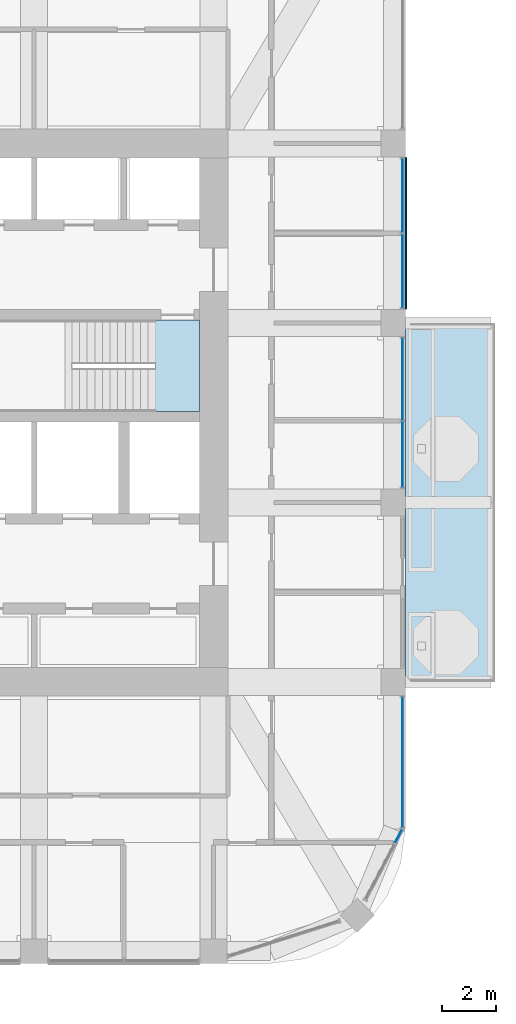
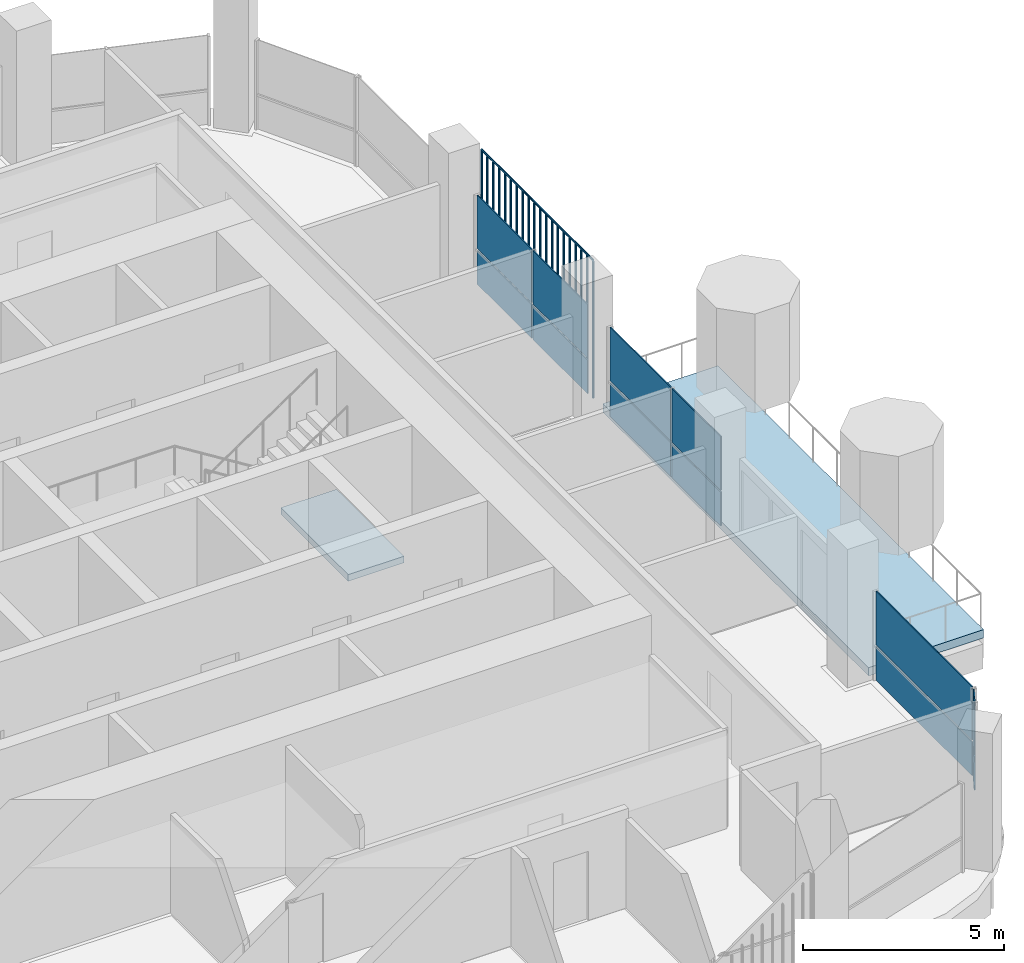
# One storey, part 10 of 20: 13 plates, 2 slabs, 5 elements without a shape of their own.
"""IFC4 building model written with IfcOpenShell, lengths in metres."""

from ifc_helpers import new_model, si_unit, direction, frame, origin, origin_2d, place, context, subcontext, project, spatial, polyline, rectangle, outline, extrude, material, layer, layer_set, type_object, element, aggregate, save


model = new_model("IFC4")

# Units and contexts
model_context = context("Model", 3, precision=1e-05, world=origin(), true_north=direction((0.0, 1.0)))
body_context = subcontext(model_context, "Body", "Model", "MODEL_VIEW")
ifc_project = project(units=[si_unit("LENGTHUNIT", "METRE"), si_unit("AREAUNIT", "SQUARE_METRE"), si_unit("VOLUMEUNIT", "CUBIC_METRE"), si_unit("PLANEANGLEUNIT", "RADIAN"), si_unit("MASSUNIT", "GRAM", prefix="KILO")], contexts=[model_context])

# Site, building, storey
site_placement = place(None, origin())
site = spatial("IfcSite", under=ifc_project, at=site_placement, CompositionType="ELEMENT")
building_placement = place(site_placement, origin())
building = spatial("IfcBuilding", under=site, at=building_placement, Name="Cobogo Forest Laboratory Tower", CompositionType="ELEMENT")
storey_placement = place(building_placement, frame((0.0, 0.0, 279.60009765625)))
storey = spatial("IfcBuildingStorey", under=building, at=storey_placement, Name="L64", CompositionType="ELEMENT", Elevation=279.60009765625)

# Slab
ifc_material_1 = material(Name="Concrete HA-40 (C40/50)", Category="concrete")
ifc_layer_1 = layer(ifc_material_1, 0.25)
ifc_layer_set_1 = layer_set([ifc_layer_1], Name="Balcony slab 250")
slab_type_1 = type_object("IfcSlabType", Name="Balcony slab 250", PredefinedType="FLOOR", material=ifc_layer_set_1)
slab_1_placement = place(storey_placement, frame((0.0, 0.0, -0.25)))
element("IfcSlab", 1, at=slab_1_placement, inside=storey, type_object=slab_type_1, Name="Balcony BAL-E1 L64", PredefinedType="FLOOR", context=body_context, shape_type="SweptSolid", body=[
    extrude(outline(polyline([(46.64990234375, 13.199951171875), (49.949951171875, 13.199951171875), (49.949951171875, 26.39990234375), (46.64990234375, 26.39990234375), (46.64990234375, 13.199951171875)])), origin(), (0.0, 0.0, 1.0), 0.25),
])

# Curtain wall, plates
ifc_material_2 = material(Name="Aluminium curtain wall", Category="aluminium")
curtain_wall_type = type_object("IfcCurtainWallType", Name="CW-2 unitised curtain wall, solar control glazing, laboratory floors zones C and D", PredefinedType="USERDEFINED", material=ifc_material_2)
curtain_wall_1_placement = place(storey_placement, origin())
curtain_wall_1 = element("IfcCurtainWall", 2, at=curtain_wall_1_placement, inside=storey, type_object=curtain_wall_type, Name="Curtain wall 06 L64", ObjectType="UNITISED CURTAIN WALL", PredefinedType="USERDEFINED")
ifc_material_3 = material(Name="Solar control insulated glass", Category="glass")
ifc_layer_2 = layer(ifc_material_3, 0.031982421875)
ifc_layer_set_2 = layer_set([ifc_layer_2], Name="GP-2 solar control glass unit 32")
plate_type_1 = type_object("IfcPlateType", Name="GP-2 solar control glass unit 32", PredefinedType="CURTAIN_PANEL", material=ifc_layer_set_2)
plate_1_placement = place(storey_placement, frame((46.40234375, 7.51806640625, 0.0), z_axis=(0.0, 0.0, 1.0), x_axis=(0.464283778337, 0.885686498245, 0.0)))
plate_1 = element("IfcPlate", 3, at=plate_1_placement, type_object=plate_type_1, Name="CW-2 panel 2.1", PredefinedType="CURTAIN_PANEL", context=body_context, shape_type="SweptSolid", body=[
    extrude(rectangle(XDim=0.516357421875, YDim=0.031982421875, at=origin_2d()), origin(), (0.0, 0.0, 1.0), 1.02001953125),
])
plate_2_placement = place(storey_placement, frame((46.40234375, 7.51806640625, 1.079833984375), z_axis=(0.0, 0.0, 1.0), x_axis=(0.464283778337, 0.885686498245, 0.0)))
plate_2 = element("IfcPlate", 4, at=plate_2_placement, type_object=plate_type_1, Name="CW-2 panel 2.2", PredefinedType="CURTAIN_PANEL", context=body_context, shape_type="SweptSolid", body=[
    extrude(rectangle(XDim=0.516357421875, YDim=0.031982421875, at=origin_2d()), origin(), (0.0, 0.0, 1.0), 1.6201171875),
])
aggregate(curtain_wall_1, [plate_1, plate_2])

curtain_wall_2_placement = place(storey_placement, origin())
curtain_wall_2 = element("IfcCurtainWall", 5, at=curtain_wall_2_placement, inside=storey, type_object=curtain_wall_type, Name="Curtain wall 07 L64", ObjectType="UNITISED CURTAIN WALL", PredefinedType="USERDEFINED")
plate_3_placement = place(storey_placement, frame((46.550048828125, 10.25, 0.0), z_axis=(0.0, 0.0, 1.0), x_axis=(0.0, 1.0, 0.0)))
plate_3 = element("IfcPlate", 6, at=plate_3_placement, type_object=plate_type_1, Name="CW-2 panel 1.1", PredefinedType="CURTAIN_PANEL", context=body_context, shape_type="SweptSolid", body=[
    extrude(rectangle(XDim=4.780029296875, YDim=0.031982421875, at=origin_2d()), origin(), (0.0, 0.0, 1.0), 1.02001953125),
])
plate_4_placement = place(storey_placement, frame((46.550048828125, 10.25, 1.079833984375), z_axis=(0.0, 0.0, 1.0), x_axis=(0.0, 1.0, 0.0)))
plate_4 = element("IfcPlate", 7, at=plate_4_placement, type_object=plate_type_1, Name="CW-2 panel 1.2", PredefinedType="CURTAIN_PANEL", context=body_context, shape_type="SweptSolid", body=[
    extrude(rectangle(XDim=4.780029296875, YDim=0.031982421875, at=origin_2d()), origin(), (0.0, 0.0, 1.0), 1.6201171875),
])
aggregate(curtain_wall_2, [plate_3, plate_4])

curtain_wall_3_placement = place(storey_placement, origin())
curtain_wall_3 = element("IfcCurtainWall", 8, at=curtain_wall_3_placement, inside=storey, type_object=curtain_wall_type, Name="Curtain wall 09 L64", ObjectType="UNITISED CURTAIN WALL", PredefinedType="USERDEFINED")
plate_5_placement = place(storey_placement, frame((46.550048828125, 21.56494140625, 0.0), z_axis=(0.0, 0.0, 1.0), x_axis=(0.0, 1.0, 0.0)))
plate_5 = element("IfcPlate", 9, at=plate_5_placement, type_object=plate_type_1, Name="CW-2 panel 1.1", PredefinedType="CURTAIN_PANEL", context=body_context, shape_type="SweptSolid", body=[
    extrude(rectangle(XDim=2.409912109375, YDim=0.031982421875, at=origin_2d()), origin(), (0.0, 0.0, 1.0), 1.02001953125),
])
plate_6_placement = place(storey_placement, frame((46.550048828125, 21.56494140625, 1.079833984375), z_axis=(0.0, 0.0, 1.0), x_axis=(0.0, 1.0, 0.0)))
plate_6 = element("IfcPlate", 10, at=plate_6_placement, type_object=plate_type_1, Name="CW-2 panel 1.2", PredefinedType="CURTAIN_PANEL", context=body_context, shape_type="SweptSolid", body=[
    extrude(rectangle(XDim=2.409912109375, YDim=0.031982421875, at=origin_2d()), origin(), (0.0, 0.0, 1.0), 1.6201171875),
])
plate_7_placement = place(storey_placement, frame((46.550048828125, 24.3349609375, 0.0), z_axis=(0.0, 0.0, 1.0), x_axis=(0.0, 1.0, 0.0)))
plate_7 = element("IfcPlate", 11, at=plate_7_placement, type_object=plate_type_1, Name="CW-2 panel 2.1", PredefinedType="CURTAIN_PANEL", context=body_context, shape_type="SweptSolid", body=[
    extrude(rectangle(XDim=3.010009765625, YDim=0.031982421875, at=origin_2d()), origin(), (0.0, 0.0, 1.0), 1.02001953125),
])
plate_8_placement = place(storey_placement, frame((46.550048828125, 24.3349609375, 1.079833984375), z_axis=(0.0, 0.0, 1.0), x_axis=(0.0, 1.0, 0.0)))
plate_8 = element("IfcPlate", 12, at=plate_8_placement, type_object=plate_type_1, Name="CW-2 panel 2.2", PredefinedType="CURTAIN_PANEL", context=body_context, shape_type="SweptSolid", body=[
    extrude(rectangle(XDim=3.010009765625, YDim=0.031982421875, at=origin_2d()), origin(), (0.0, 0.0, 1.0), 1.6201171875),
])
aggregate(curtain_wall_3, [plate_5, plate_6, plate_7, plate_8])

curtain_wall_4_placement = place(storey_placement, origin())
curtain_wall_4 = element("IfcCurtainWall", 13, at=curtain_wall_4_placement, inside=storey, type_object=curtain_wall_type, Name="Curtain wall 10 L64", ObjectType="UNITISED CURTAIN WALL", PredefinedType="USERDEFINED")
plate_9_placement = place(storey_placement, frame((46.550048828125, 28.31494140625, 0.0), z_axis=(0.0, 0.0, 1.0), x_axis=(0.0, 1.0, 0.0)))
plate_9 = element("IfcPlate", 14, at=plate_9_placement, type_object=plate_type_1, Name="CW-2 panel 1.1", PredefinedType="CURTAIN_PANEL", context=body_context, shape_type="SweptSolid", body=[
    extrude(rectangle(XDim=2.7099609375, YDim=0.031982421875, at=origin_2d()), origin(), (0.0, 0.0, 1.0), 1.02001953125),
])
plate_10_placement = place(storey_placement, frame((46.550048828125, 28.31494140625, 1.079833984375), z_axis=(0.0, 0.0, 1.0), x_axis=(0.0, 1.0, 0.0)))
plate_10 = element("IfcPlate", 15, at=plate_10_placement, type_object=plate_type_1, Name="CW-2 panel 1.2", PredefinedType="CURTAIN_PANEL", context=body_context, shape_type="SweptSolid", body=[
    extrude(rectangle(XDim=2.7099609375, YDim=0.031982421875, at=origin_2d()), origin(), (0.0, 0.0, 1.0), 1.6201171875),
])
plate_11_placement = place(storey_placement, frame((46.550048828125, 31.0849609375, 0.0), z_axis=(0.0, 0.0, 1.0), x_axis=(0.0, 1.0, 0.0)))
plate_11 = element("IfcPlate", 16, at=plate_11_placement, type_object=plate_type_1, Name="CW-2 panel 2.1", PredefinedType="CURTAIN_PANEL", context=body_context, shape_type="SweptSolid", body=[
    extrude(rectangle(XDim=2.7099609375, YDim=0.031982421875, at=origin_2d()), origin(), (0.0, 0.0, 1.0), 1.02001953125),
])
plate_12_placement = place(storey_placement, frame((46.550048828125, 31.0849609375, 1.079833984375), z_axis=(0.0, 0.0, 1.0), x_axis=(0.0, 1.0, 0.0)))
plate_12 = element("IfcPlate", 17, at=plate_12_placement, type_object=plate_type_1, Name="CW-2 panel 2.2", PredefinedType="CURTAIN_PANEL", context=body_context, shape_type="SweptSolid", body=[
    extrude(rectangle(XDim=2.7099609375, YDim=0.031982421875, at=origin_2d()), origin(), (0.0, 0.0, 1.0), 1.6201171875),
])
aggregate(curtain_wall_4, [plate_9, plate_10, plate_11, plate_12])

# Stair, slab
ifc_material_4 = material(Name="Precast concrete HA-40 (C40/50)", Category="concrete")
stair_type = type_object("IfcStairType", Name="ST24 exit stair 24 risers", PredefinedType="HALF_TURN_STAIR", material=ifc_material_4)
stair_placement = place(storey_placement, origin())
stair = element("IfcStair", 18, at=stair_placement, inside=storey, type_object=stair_type, Name="Stair 2 L64 to L65", PredefinedType="HALF_TURN_STAIR")
ifc_layer_3 = layer(ifc_material_1, 0.199951171875)
ifc_layer_set_3 = layer_set([ifc_layer_3], Name="SL stair landing 200")
slab_type_2 = type_object("IfcSlabType", Name="SL stair landing 200", PredefinedType="LANDING", material=ifc_layer_set_3)
slab_2_placement = place(storey_placement, frame((0.0, 0.0, -0.2001953125)))
slab_2 = element("IfcSlab", 19, at=slab_2_placement, type_object=slab_type_2, Name="ST2 landing 1", PredefinedType="LANDING", context=body_context, shape_type="SweptSolid", body=[
    extrude(outline(polyline([(37.472900390625, 23.14990234375), (39.074951171875, 23.14990234375), (39.074951171875, 26.5), (37.472900390625, 26.5), (37.472900390625, 23.14990234375)])), origin(), (0.0, 0.0, 1.0), 0.2001953125),
])
aggregate(stair, [slab_2])

# Plate
ifc_material_5 = material(Name="Terracotta", Category="masonry")
plate_type_2 = type_object("IfcPlateType", Name="TB1 terracotta baguette screen", PredefinedType="USERDEFINED", material=ifc_material_5)
plate_13_placement = place(storey_placement, frame((46.677978515625, 26.93115234375, -0.150146484375)))
element("IfcPlate", 20, at=plate_13_placement, inside=storey, type_object=plate_type_2, Name="Baguette screen E3 L64", ObjectType="BAGUETTE SCREEN", PredefinedType="USERDEFINED", context=body_context, shape_type="SweptSolid", body=[
    extrude(outline(polyline([(0.02880859375, 0.011962890625), (0.011962890625, 0.02880859375), (-0.011962890625, 0.02880859375), (-0.02880859375, 0.011962890625), (-0.02880859375, -0.011962890625), (-0.011962890625, -0.02880859375), (0.011962890625, -0.02880859375), (0.02880859375, -0.011962890625), (0.02880859375, 0.011962890625)])), frame((0.0, 0.0, 4.168701171875), z_axis=(0.0, 1.0, 0.0), x_axis=(-1.0, 0.0, 0.0)), (0.0, 0.0, 1.0), 5.53759765625),
    extrude(outline(polyline([(0.02880859375, 0.011962890625), (0.011962890625, 0.02880859375), (-0.011962890625, 0.02880859375), (-0.02880859375, 0.011962890625), (-0.02880859375, -0.011962890625), (-0.011962890625, -0.02880859375), (0.011962890625, -0.02880859375), (0.02880859375, -0.011962890625), (0.02880859375, 0.011962890625)])), origin(), (0.0, 0.0, 1.0), 4.137451171875),
    extrude(outline(polyline([(0.02880859375, 0.011962890625), (0.011962890625, 0.02880859375), (-0.011962890625, 0.02880859375), (-0.02880859375, 0.011962890625), (-0.02880859375, -0.011962890625), (-0.011962890625, -0.02880859375), (0.011962890625, -0.02880859375), (0.02880859375, -0.011962890625), (0.02880859375, 0.011962890625)])), frame((0.0, 0.29150390625, 0.0)), (0.0, 0.0, 1.0), 4.137451171875),
    extrude(outline(polyline([(0.02880859375, 0.011962890625), (0.011962890625, 0.02880859375), (-0.011962890625, 0.02880859375), (-0.02880859375, 0.011962890625), (-0.02880859375, -0.011962890625), (-0.011962890625, -0.02880859375), (0.011962890625, -0.02880859375), (0.02880859375, -0.011962890625), (0.02880859375, 0.011962890625)])), frame((0.0, 0.5830078125, 0.0)), (0.0, 0.0, 1.0), 4.137451171875),
    extrude(outline(polyline([(0.02880859375, 0.011962890625), (0.011962890625, 0.02880859375), (-0.011962890625, 0.02880859375), (-0.02880859375, 0.011962890625), (-0.02880859375, -0.011962890625), (-0.011962890625, -0.02880859375), (0.011962890625, -0.02880859375), (0.02880859375, -0.011962890625), (0.02880859375, 0.011962890625)])), frame((0.0, 0.874267578125, 0.0)), (0.0, 0.0, 1.0), 4.137451171875),
    extrude(outline(polyline([(0.02880859375, 0.011962890625), (0.011962890625, 0.02880859375), (-0.011962890625, 0.02880859375), (-0.02880859375, 0.011962890625), (-0.02880859375, -0.011962890625), (-0.011962890625, -0.02880859375), (0.011962890625, -0.02880859375), (0.02880859375, -0.011962890625), (0.02880859375, 0.011962890625)])), frame((0.0, 1.165771484375, 0.0)), (0.0, 0.0, 1.0), 4.137451171875),
    extrude(outline(polyline([(0.02880859375, 0.011962890625), (0.011962890625, 0.02880859375), (-0.011962890625, 0.02880859375), (-0.02880859375, 0.011962890625), (-0.02880859375, -0.011962890625), (-0.011962890625, -0.02880859375), (0.011962890625, -0.02880859375), (0.02880859375, -0.011962890625), (0.02880859375, 0.011962890625)])), frame((0.0, 1.457275390625, 0.0)), (0.0, 0.0, 1.0), 4.137451171875),
    extrude(outline(polyline([(0.02880859375, 0.011962890625), (0.011962890625, 0.02880859375), (-0.011962890625, 0.02880859375), (-0.02880859375, 0.011962890625), (-0.02880859375, -0.011962890625), (-0.011962890625, -0.02880859375), (0.011962890625, -0.02880859375), (0.02880859375, -0.011962890625), (0.02880859375, 0.011962890625)])), frame((0.0, 1.748779296875, 0.0)), (0.0, 0.0, 1.0), 4.137451171875),
    extrude(outline(polyline([(0.02880859375, 0.011962890625), (0.011962890625, 0.02880859375), (-0.011962890625, 0.02880859375), (-0.02880859375, 0.011962890625), (-0.02880859375, -0.011962890625), (-0.011962890625, -0.02880859375), (0.011962890625, -0.02880859375), (0.02880859375, -0.011962890625), (0.02880859375, 0.011962890625)])), frame((0.0, 2.040283203125, 0.0)), (0.0, 0.0, 1.0), 4.137451171875),
    extrude(outline(polyline([(0.02880859375, 0.011962890625), (0.011962890625, 0.02880859375), (-0.011962890625, 0.02880859375), (-0.02880859375, 0.011962890625), (-0.02880859375, -0.011962890625), (-0.011962890625, -0.02880859375), (0.011962890625, -0.02880859375), (0.02880859375, -0.011962890625), (0.02880859375, 0.011962890625)])), frame((0.0, 2.33154296875, 0.0)), (0.0, 0.0, 1.0), 4.137451171875),
    extrude(outline(polyline([(0.02880859375, 0.011962890625), (0.011962890625, 0.02880859375), (-0.011962890625, 0.02880859375), (-0.02880859375, 0.011962890625), (-0.02880859375, -0.011962890625), (-0.011962890625, -0.02880859375), (0.011962890625, -0.02880859375), (0.02880859375, -0.011962890625), (0.02880859375, 0.011962890625)])), frame((0.0, 2.623046875, 0.0)), (0.0, 0.0, 1.0), 4.137451171875),
    extrude(outline(polyline([(0.02880859375, 0.011962890625), (0.011962890625, 0.02880859375), (-0.011962890625, 0.02880859375), (-0.02880859375, 0.011962890625), (-0.02880859375, -0.011962890625), (-0.011962890625, -0.02880859375), (0.011962890625, -0.02880859375), (0.02880859375, -0.011962890625), (0.02880859375, 0.011962890625)])), frame((0.0, 2.91455078125, 0.0)), (0.0, 0.0, 1.0), 4.137451171875),
    extrude(outline(polyline([(0.02880859375, 0.011962890625), (0.011962890625, 0.02880859375), (-0.011962890625, 0.02880859375), (-0.02880859375, 0.011962890625), (-0.02880859375, -0.011962890625), (-0.011962890625, -0.02880859375), (0.011962890625, -0.02880859375), (0.02880859375, -0.011962890625), (0.02880859375, 0.011962890625)])), frame((0.0, 3.2060546875, 0.0)), (0.0, 0.0, 1.0), 4.137451171875),
    extrude(outline(polyline([(0.02880859375, 0.011962890625), (0.011962890625, 0.02880859375), (-0.011962890625, 0.02880859375), (-0.02880859375, 0.011962890625), (-0.02880859375, -0.011962890625), (-0.011962890625, -0.02880859375), (0.011962890625, -0.02880859375), (0.02880859375, -0.011962890625), (0.02880859375, 0.011962890625)])), frame((0.0, 3.497314453125, 0.0)), (0.0, 0.0, 1.0), 4.137451171875),
    extrude(outline(polyline([(0.02880859375, 0.011962890625), (0.011962890625, 0.02880859375), (-0.011962890625, 0.02880859375), (-0.02880859375, 0.011962890625), (-0.02880859375, -0.011962890625), (-0.011962890625, -0.02880859375), (0.011962890625, -0.02880859375), (0.02880859375, -0.011962890625), (0.02880859375, 0.011962890625)])), frame((0.0, 3.788818359375, 0.0)), (0.0, 0.0, 1.0), 4.137451171875),
    extrude(outline(polyline([(0.02880859375, 0.011962890625), (0.011962890625, 0.02880859375), (-0.011962890625, 0.02880859375), (-0.02880859375, 0.011962890625), (-0.02880859375, -0.011962890625), (-0.011962890625, -0.02880859375), (0.011962890625, -0.02880859375), (0.02880859375, -0.011962890625), (0.02880859375, 0.011962890625)])), frame((0.0, 4.080322265625, 0.0)), (0.0, 0.0, 1.0), 4.137451171875),
    extrude(outline(polyline([(0.02880859375, 0.011962890625), (0.011962890625, 0.02880859375), (-0.011962890625, 0.02880859375), (-0.02880859375, 0.011962890625), (-0.02880859375, -0.011962890625), (-0.011962890625, -0.02880859375), (0.011962890625, -0.02880859375), (0.02880859375, -0.011962890625), (0.02880859375, 0.011962890625)])), frame((0.0, 4.371826171875, 0.0)), (0.0, 0.0, 1.0), 4.137451171875),
    extrude(outline(polyline([(0.02880859375, 0.011962890625), (0.011962890625, 0.02880859375), (-0.011962890625, 0.02880859375), (-0.02880859375, 0.011962890625), (-0.02880859375, -0.011962890625), (-0.011962890625, -0.02880859375), (0.011962890625, -0.02880859375), (0.02880859375, -0.011962890625), (0.02880859375, 0.011962890625)])), frame((0.0, 4.663330078125, 0.0)), (0.0, 0.0, 1.0), 4.137451171875),
    extrude(outline(polyline([(0.02880859375, 0.011962890625), (0.011962890625, 0.02880859375), (-0.011962890625, 0.02880859375), (-0.02880859375, 0.011962890625), (-0.02880859375, -0.011962890625), (-0.011962890625, -0.02880859375), (0.011962890625, -0.02880859375), (0.02880859375, -0.011962890625), (0.02880859375, 0.011962890625)])), frame((0.0, 4.95458984375, 0.0)), (0.0, 0.0, 1.0), 4.137451171875),
    extrude(outline(polyline([(0.02880859375, 0.011962890625), (0.011962890625, 0.02880859375), (-0.011962890625, 0.02880859375), (-0.02880859375, 0.011962890625), (-0.02880859375, -0.011962890625), (-0.011962890625, -0.02880859375), (0.011962890625, -0.02880859375), (0.02880859375, -0.011962890625), (0.02880859375, 0.011962890625)])), frame((0.0, 5.24609375, 0.0)), (0.0, 0.0, 1.0), 4.137451171875),
    extrude(outline(polyline([(0.02880859375, 0.011962890625), (0.011962890625, 0.02880859375), (-0.011962890625, 0.02880859375), (-0.02880859375, 0.011962890625), (-0.02880859375, -0.011962890625), (-0.011962890625, -0.02880859375), (0.011962890625, -0.02880859375), (0.02880859375, -0.011962890625), (0.02880859375, 0.011962890625)])), frame((0.0, 5.53759765625, 0.0)), (0.0, 0.0, 1.0), 4.137451171875),
])

save(model, "model.ifc")
